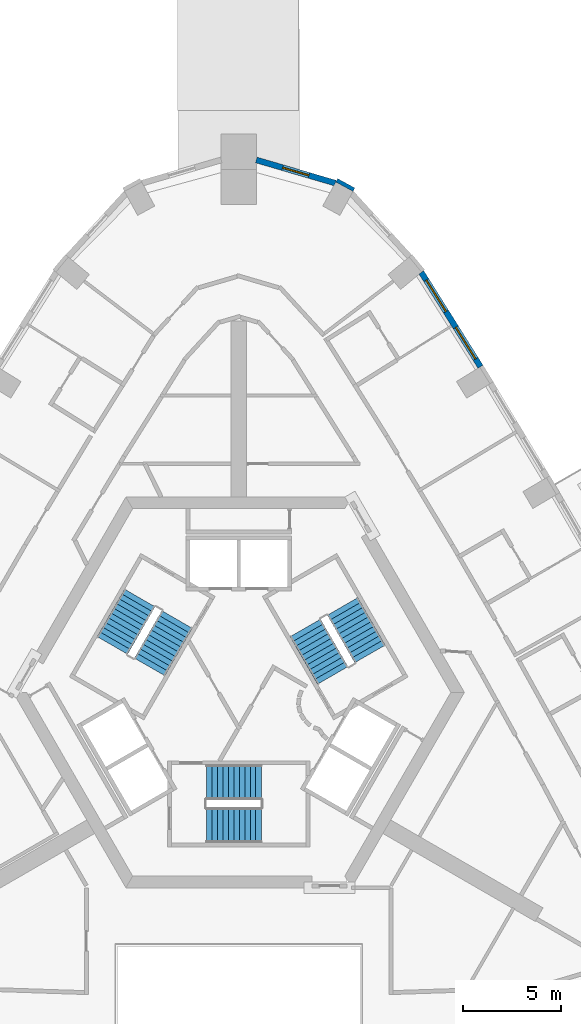
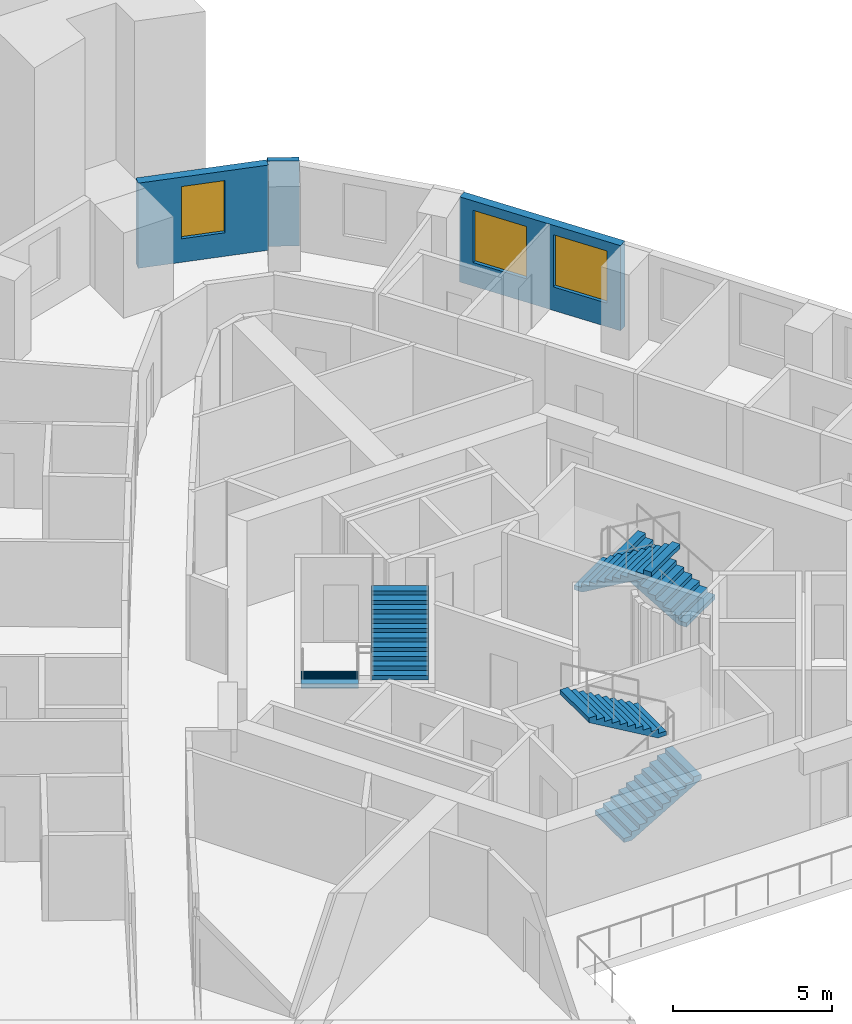
# One storey, part 10 of 13: 6 stair flights, 3 walls, 3 windows, 3 openings, 3 elements without a shape of their own.
"""IFC4 building model written with IfcOpenShell, lengths in metres."""

import ifcopenshell
import ifcopenshell.guid

model = None  # the IFC model being written
_history = None  # IfcOwnerHistory: only IFC2X3 demands one
_inside = {}  # id of a spatial element -> (the spatial element, [elements in it])
_under = {}  # id of a project, library or spatial element -> (it, [spatial elements below it])
_declared = {}  # id of a project -> (the project, [libraries it declares])
_typed = {}  # id of a type object -> (the type object, [elements of that type])
_made_of = {}  # id of a material, layer set ... -> (it, [elements and type objects made of it])


def new_model(schema):
    """Start an empty IFC model of exactly this schema.

    Asked for "IFC4X3", IfcOpenShell would pick the latest addendum, in which some entities
    have other attributes; the version numbers below select the first issue.
    IFC2X3 requires an IfcOwnerHistory on every rooted entity: one is made here for all.
    """
    global model, _history
    if schema == "IFC4X3":
        model = ifcopenshell.file(schema_version=(4, 3, 0, 0))
    else:
        model = ifcopenshell.file(schema=schema)
    _inside.clear()
    _under.clear()
    _declared.clear()
    _typed.clear()
    _made_of.clear()
    _history = None
    if model.schema == "IFC2X3":
        org = make("IfcOrganization", Name="unknown")
        user = make(
            "IfcPersonAndOrganization",
            ThePerson=make("IfcPerson", FamilyName="unknown"),
            TheOrganization=org,
        )
        app = make(
            "IfcApplication",
            ApplicationDeveloper=org,
            Version="unknown",
            ApplicationFullName="unknown",
            ApplicationIdentifier="unknown",
        )
        _history = make(
            "IfcOwnerHistory",
            OwningUser=user,
            OwningApplication=app,
            ChangeAction="ADDED",
            CreationDate=0,
        )
    return model


def make(cls, **values):
    """One entity of the class cls with the attributes given. An attribute that is None is left unset."""
    return model.create_entity(
        cls, **{name: value for name, value in values.items() if value is not None}
    )


def rooted(cls, **values):
    """An entity with a GlobalId (a new one), such as an element, a storey or a relation."""
    return make(cls, GlobalId=ifcopenshell.guid.new(), OwnerHistory=_history, **values)


def si_unit(unit_type, name, prefix=None):
    """IfcSIUnit, for example si_unit("LENGTHUNIT", "METRE", prefix="MILLI")."""
    return make("IfcSIUnit", UnitType=unit_type, Prefix=prefix, Name=name)


def assignment(units):
    """IfcUnitAssignment: the units of a project."""
    return None if units is None else make("IfcUnitAssignment", Units=units)


def point(xyz):
    """IfcCartesianPoint."""
    return None if xyz is None else make("IfcCartesianPoint", Coordinates=xyz)


def direction(xyz):
    """IfcDirection."""
    return None if xyz is None else make("IfcDirection", DirectionRatios=xyz)


def frame(location, z_axis=None, x_axis=None):
    """IfcAxis2Placement3D, a coordinate frame: its origin and axes. An axis left out is left unset."""
    return make(
        "IfcAxis2Placement3D",
        Location=point(location),
        Axis=direction(z_axis),
        RefDirection=direction(x_axis),
    )


def frame_2d(location, x_axis=None):
    """IfcAxis2Placement2D, a coordinate frame in the plane: its origin and x axis."""
    return make(
        "IfcAxis2Placement2D", Location=point(location), RefDirection=direction(x_axis)
    )


def origin():
    """The frame at (0, 0, 0) with its axes left unset."""
    return frame((0.0, 0.0, 0.0))


def place(relative_to, where):
    """IfcLocalPlacement: puts the frame where relative to a parent placement (None: the world)."""
    return make(
        "IfcLocalPlacement", PlacementRelTo=relative_to, RelativePlacement=where
    )


def context(
    kind, dimensions, precision=None, world=None, true_north=None, identifier=None
):
    """IfcGeometricRepresentationContext, for example the 3D "Model" context."""
    return make(
        "IfcGeometricRepresentationContext",
        ContextIdentifier=identifier,
        ContextType=kind,
        CoordinateSpaceDimension=dimensions,
        Precision=precision,
        WorldCoordinateSystem=world,
        TrueNorth=true_north,
    )


def subcontext(parent, identifier, kind, view, scale=None):
    """IfcGeometricRepresentationSubContext, for example "Body" below "Model"."""
    return make(
        "IfcGeometricRepresentationSubContext",
        ContextIdentifier=identifier,
        ContextType=kind,
        ParentContext=parent,
        TargetScale=scale,
        TargetView=view,
    )


def project(units=None, contexts=None):
    """IfcProject with its units and contexts."""
    return rooted(
        "IfcProject",
        Name="project",
        RepresentationContexts=contexts,
        UnitsInContext=assignment(units),
    )


def spatial(cls, under=None, at=None, **own):
    """A site, building, storey or space (cls), placed at a placement, below another one or the project."""
    s = rooted(cls, ObjectPlacement=at, **own)
    if under is not None:
        _under.setdefault(under.id(), (under, []))[1].append(s)
    return s


def polyline(points):
    """IfcPolyline through the points."""
    return make("IfcPolyline", Points=[point(p) for p in points])


def profile(cls, at=None, kind="AREA", **sizes):
    """A parametric profile (cls). Its sizes go by their IFC names, for example OverallWidth=200.0."""
    return make(cls, ProfileType=kind, Position=at, **sizes)


def rectangle(**sizes):
    """IfcRectangleProfileDef."""
    return profile("IfcRectangleProfileDef", **sizes)


def outline(outer, holes=None, kind="AREA"):
    """IfcArbitraryClosedProfileDef: a profile drawn as a closed curve; with holes, ...WithVoids."""
    if holes is None:
        return make("IfcArbitraryClosedProfileDef", ProfileType=kind, OuterCurve=outer)
    return make(
        "IfcArbitraryProfileDefWithVoids",
        ProfileType=kind,
        OuterCurve=outer,
        InnerCurves=holes,
    )


def extrude(swept, where, along, depth):
    """IfcExtrudedAreaSolid: the profile swept, set in the frame where, extruded along a direction by depth."""
    return make(
        "IfcExtrudedAreaSolid",
        SweptArea=swept,
        Position=where,
        ExtrudedDirection=direction(along),
        Depth=depth,
    )


def shape(context_of_items, identifier, shape_type, items):
    """IfcShapeRepresentation: the items that make up one representation, for example the "Body"."""
    return make(
        "IfcShapeRepresentation",
        ContextOfItems=context_of_items,
        RepresentationIdentifier=identifier,
        RepresentationType=shape_type,
        Items=items,
    )


def material(Name=None, Category=None):
    """IfcMaterial."""
    return make("IfcMaterial", Name=Name, Category=Category)


def layer(
    of_material, thickness, ventilated=None, Name=None, Category=None, Priority=None
):
    """IfcMaterialLayer: one layer of a wall or slab, of a material (None: an air gap)."""
    return make(
        "IfcMaterialLayer",
        Material=of_material,
        LayerThickness=thickness,
        IsVentilated=ventilated,
        Name=Name,
        Category=Category,
        Priority=Priority,
    )


def layer_set(layers, Name=None):
    """IfcMaterialLayerSet."""
    return make("IfcMaterialLayerSet", MaterialLayers=layers, LayerSetName=Name)


def made_of(thing, what):
    """Note that an element or type object is made of a material, layer set ...; save() writes the relation."""
    if what is not None:
        _made_of.setdefault(what.id(), (what, []))[1].append(thing)
    return thing


def type_object(cls, material=None, **own):
    """A type object (cls), such as IfcWallType, which elements share."""
    return made_of(rooted(cls, **own), material)


def element(
    cls,
    number,
    at=None,
    inside=None,
    cuts=None,
    type_object=None,
    material=None,
    context=None,
    identifier="Body",
    shape_type=None,
    held_by="IfcProductDefinitionShape",
    body=None,
    shapes=None,
    **own,
):
    """One element of the class cls, such as IfcWall. Its Tag is "e" and its number.

    at: its placement. inside: the storey or other place that contains it. cuts: it is an
    opening in that element (IfcRelVoidsElement). A single representation is given by context,
    identifier, shape_type and body (its items); several are given by shapes. held_by: the class
    of the entity that holds the representations. save() writes the other relations.
    """
    e = rooted(cls, Tag="e%d" % number, ObjectPlacement=at, **own)
    if body is not None:
        shapes = [shape(context, identifier, shape_type, body)]
    if shapes is not None:
        e.Representation = make(held_by, Representations=shapes)
    if inside is not None:
        _inside.setdefault(inside.id(), (inside, []))[1].append(e)
    if cuts is not None:
        rooted(
            "IfcRelVoidsElement", RelatingBuildingElement=cuts, RelatedOpeningElement=e
        )
    if type_object is not None:
        _typed.setdefault(type_object.id(), (type_object, []))[1].append(e)
    return made_of(e, material)


def fill(opening, filler):
    """IfcRelFillsElement: the door or window that sits in an opening."""
    return rooted(
        "IfcRelFillsElement",
        RelatingOpeningElement=opening,
        RelatedBuildingElement=filler,
    )


def aggregate(whole, parts):
    """IfcRelAggregates: a whole, such as a stair, and the parts it consists of."""
    return rooted("IfcRelAggregates", RelatingObject=whole, RelatedObjects=parts)


def save(model, path):
    """Write the relations noted so far, then the file.

    IfcRelAggregates (storeys below a building ...), IfcRelContainedInSpatialStructure (elements
    in a storey), IfcRelDefinesByType, IfcRelAssociatesMaterial and IfcRelDeclares: one each for
    every whole, place, type object, material and project.
    """
    for whole, parts in _under.values():
        aggregate(whole, parts)
    for where, things in _inside.values():
        rooted(
            "IfcRelContainedInSpatialStructure",
            RelatedElements=things,
            RelatingStructure=where,
        )
    for kind, things in _typed.values():
        rooted("IfcRelDefinesByType", RelatedObjects=things, RelatingType=kind)
    for what, things in _made_of.values():
        rooted("IfcRelAssociatesMaterial", RelatedObjects=things, RelatingMaterial=what)
    for by, libraries in _declared.values():
        rooted("IfcRelDeclares", RelatingContext=by, RelatedDefinitions=libraries)
    model.write(path)


model = new_model("IFC4")

# Units and contexts
model_context = context("Model", 3, precision=1e-05, world=origin(), true_north=direction((0.0, 1.0)))
body_context = subcontext(model_context, "Body", "Model", "MODEL_VIEW")
ifc_project = project(units=[si_unit("LENGTHUNIT", "METRE"), si_unit("AREAUNIT", "SQUARE_METRE"), si_unit("VOLUMEUNIT", "CUBIC_METRE"), si_unit("PLANEANGLEUNIT", "RADIAN"), si_unit("MASSUNIT", "GRAM", prefix="KILO")], contexts=[model_context])

# Site, building, storey
site_placement = place(None, origin())
site = spatial("IfcSite", under=ifc_project, at=site_placement, CompositionType="ELEMENT")
building_placement = place(site_placement, origin())
building = spatial("IfcBuilding", under=site, at=building_placement, Name="Entoto Arch Interchange Tower", CompositionType="ELEMENT")
storey_placement = place(building_placement, frame((0.0, 0.0, 263.0)))
storey = spatial("IfcBuildingStorey", under=building, at=storey_placement, Name="L60", CompositionType="ELEMENT", Elevation=263.0)

# Wall, openings, windows
ifc_material_1 = material(Name="Welded tuff (ignimbrite) cladding, warm buff", Category="masonry")
ifc_layer_1 = layer(ifc_material_1, 0.300048828125)
ifc_layer_set_1 = layer_set([ifc_layer_1], Name="Welded tuff (ignimbrite) cladding, warm buff")
wall_type_1 = type_object("IfcWallType", Name="STONE INFILL WALL 300", PredefinedType="STANDARD", material=ifc_layer_set_1)
wall_1_placement = place(storey_placement, frame((12.3720703125, 19.166015625, 0.0), z_axis=(0.0, 0.0, 1.0), x_axis=(-0.531137483242, 0.847285650708, 0.0)))
wall_1 = element("IfcWall", 1, at=wall_1_placement, inside=storey, type_object=wall_type_1, Name="Facade wall NE-05 L60", PredefinedType="STANDARD", context=body_context, shape_type="SweptSolid", body=[
    extrude(rectangle(XDim=5.702880859375, YDim=0.300048828125, at=frame_2d((2.8515625, 0.0))), origin(), (0.0, 0.0, 1.0), 3.260009765625),
])
opening_1_placement = place(wall_1_placement, frame((0.47607421875, 0.0, 0.89990234375)))
opening_1 = element("IfcOpeningElement", 2, at=opening_1_placement, cuts=wall_1, Name="Opening WH-C", PredefinedType="OPENING", context=body_context, shape_type="SweptSolid", body=[
    extrude(rectangle(XDim=1.89990234375, YDim=2.0, at=frame_2d((0.949951171875, 1.0))), frame((0.0, 0.16015625, 0.0), z_axis=(0.0, -1.0, 0.0), x_axis=(1.0, 0.0, 0.0)), (0.0, 0.0, 1.0), 0.320068359375),
])
opening_2_placement = place(wall_1_placement, frame((3.326904296875, 0.0, 0.89990234375)))
opening_2 = element("IfcOpeningElement", 3, at=opening_2_placement, cuts=wall_1, Name="Opening WH-C", PredefinedType="OPENING", context=body_context, shape_type="SweptSolid", body=[
    extrude(rectangle(XDim=1.89990234375, YDim=2.0, at=frame_2d((0.949951171875, 1.0))), frame((0.0, 0.16015625, 0.0), z_axis=(0.0, -1.0, 0.0), x_axis=(1.0, 0.0, 0.0)), (0.0, 0.0, 1.0), 0.320068359375),
])
ifc_material_2 = material(Name="Clear glass, low-e double glazed", Category="glass")
window_type_1 = type_object("IfcWindowType", Name="WINDOW WH-C 1900x2000", PartitioningType="DOUBLE_PANEL_VERTICAL", PredefinedType="WINDOW", material=ifc_material_2)
window_1_placement = place(opening_1_placement, origin())
window_1 = element("IfcWindow", 4, at=window_1_placement, inside=storey, type_object=window_type_1, Name="Window WH-C NE-05 L60", OverallHeight=2.0, OverallWidth=1.89990234375, PartitioningType="SINGLE_PANEL", PredefinedType="WINDOW", context=body_context, shape_type="SweptSolid", body=[
    extrude(rectangle(XDim=1.89990234375, YDim=2.0, at=frame_2d((0.949951171875, 1.0))), frame((0.0, 0.030029296875, 0.0), z_axis=(0.0, -1.0, 0.0), x_axis=(1.0, 0.0, 0.0)), (0.0, 0.0, 1.0), 0.06005859375),
])
fill(opening_1, window_1)
window_2_placement = place(opening_2_placement, origin())
window_2 = element("IfcWindow", 5, at=window_2_placement, inside=storey, type_object=window_type_1, Name="Window WH-C NE-05 L60", OverallHeight=2.0, OverallWidth=1.89990234375, PartitioningType="SINGLE_PANEL", PredefinedType="WINDOW", context=body_context, shape_type="SweptSolid", body=[
    extrude(rectangle(XDim=1.89990234375, YDim=2.0, at=frame_2d((0.949951171875, 1.0))), frame((0.0, 0.030029296875, 0.0), z_axis=(0.0, -1.0, 0.0), x_axis=(1.0, 0.0, 0.0)), (0.0, 0.0, 1.0), 0.06005859375),
])
fill(opening_2, window_2)

# Wall, opening, window
wall_2_placement = place(storey_placement, frame((4.93896484375, 28.56298828125, 0.0), z_axis=(0.0, 0.0, 1.0), x_axis=(-0.959632861734, 0.281255703373, 0.0)))
wall_2 = element("IfcWall", 6, at=wall_2_placement, inside=storey, type_object=wall_type_1, Name="Facade wall N-02 L60", PredefinedType="STANDARD", context=body_context, shape_type="SweptSolid", body=[
    extrude(rectangle(XDim=4.2099609375, YDim=0.300048828125, at=frame_2d((2.10498046875, 0.0))), origin(), (0.0, 0.0, 1.0), 3.260009765625),
])
opening_3_placement = place(wall_2_placement, frame((1.405029296875, 0.0, 0.89990234375)))
opening_3 = element("IfcOpeningElement", 7, at=opening_3_placement, cuts=wall_2, Name="Opening WH-B", PredefinedType="OPENING", context=body_context, shape_type="SweptSolid", body=[
    extrude(rectangle(XDim=1.39990234375, YDim=2.0, at=frame_2d((0.699951171875, 1.0))), frame((0.0, 0.16015625, 0.0), z_axis=(0.0, -1.0, 0.0), x_axis=(1.0, 0.0, 0.0)), (0.0, 0.0, 1.0), 0.320068359375),
])
window_type_2 = type_object("IfcWindowType", Name="WINDOW WH-B 1400x2000", PartitioningType="DOUBLE_PANEL_VERTICAL", PredefinedType="WINDOW", material=ifc_material_2)
window_3_placement = place(opening_3_placement, origin())
window_3 = element("IfcWindow", 8, at=window_3_placement, inside=storey, type_object=window_type_2, Name="Window WH-B N-02 L60", OverallHeight=2.0, OverallWidth=1.39990234375, PartitioningType="SINGLE_PANEL", PredefinedType="WINDOW", context=body_context, shape_type="SweptSolid", body=[
    extrude(rectangle(XDim=1.39990234375, YDim=2.0, at=frame_2d((0.699951171875, 1.0))), frame((0.0, 0.030029296875, 0.0), z_axis=(0.0, -1.0, 0.0), x_axis=(1.0, 0.0, 0.0)), (0.0, 0.0, 1.0), 0.06005859375),
])
fill(opening_3, window_3)

# Wall
ifc_layer_2 = layer(ifc_material_1, 0.199951171875)
ifc_layer_set_2 = layer_set([ifc_layer_2], Name="Welded tuff (ignimbrite) cladding, warm buff")
wall_type_2 = type_object("IfcWallType", Name="STONE PIER CLADDING 200", PredefinedType="STANDARD", material=ifc_layer_set_2)
wall_3_placement = place(storey_placement, frame((5.89306640625, 28.22705078125, 0.0), z_axis=(0.0, 0.0, 1.0), x_axis=(-0.878305841364, 0.478099204168, 0.0)))
element("IfcWall", 9, at=wall_3_placement, inside=storey, type_object=wall_type_2, Name="Stone pier N1 L60", PredefinedType="STANDARD", context=body_context, shape_type="SweptSolid", body=[
    extrude(rectangle(XDim=0.999755859375, YDim=0.199951171875, at=frame_2d((0.5, 0.0))), origin(), (0.0, 0.0, 1.0), 3.260009765625),
])

# Stair, stair flights
ifc_material_3 = material(Name="Concrete C40/50", Category="concrete")
stair_type = type_object("IfcStairType", Name="EXIT STAIR RC 1800", PredefinedType="HALF_TURN_STAIR", material=ifc_material_3)
stair_1_placement = place(storey_placement, origin())
stair_1 = element("IfcStair", 10, at=stair_1_placement, inside=storey, type_object=stair_type, Name="L60 Exit stair S", PredefinedType="HALF_TURN_STAIR")
stair_flight_type = type_object("IfcStairFlightType", Name="EXIT STAIR FLIGHT RC 1800", PredefinedType="STRAIGHT", material=ifc_material_3)
stair_flight_1_placement = place(storey_placement, frame((-1.64990234375, -4.300048828125, 0.0), z_axis=(0.0, 0.0, 1.0), x_axis=(1.0, 0.0, 0.0)))
stair_flight_1 = element("IfcStairFlight", 11, at=stair_flight_1_placement, type_object=stair_flight_type, Name="ST-S flight 1", NumberOfRisers=11, NumberOfTreads=10, PredefinedType="STRAIGHT", RiserHeight=0.163636364, TreadLength=0.28, context=body_context, shape_type="SweptSolid", body=[
    extrude(outline(polyline([(-0.0029296875, 0.0), (-0.0029296875, 0.16357421875), (0.280029296875, 0.16357421875), (0.280029296875, 0.327392578125), (0.56005859375, 0.327392578125), (0.56005859375, 0.490966796875), (0.840087890625, 0.490966796875), (0.840087890625, 0.654541015625), (1.1201171875, 0.654541015625), (1.1201171875, 0.818115234375), (1.39990234375, 0.818115234375), (1.39990234375, 0.98193359375), (1.679931640625, 0.98193359375), (1.679931640625, 1.1455078125), (1.9599609375, 1.1455078125), (1.9599609375, 1.30908203125), (2.239990234375, 1.30908203125), (2.239990234375, 1.47265625), (2.52001953125, 1.47265625), (2.52001953125, 1.636474609375), (2.800048828125, 1.636474609375), (2.802978515625, 1.636474609375), (2.802978515625, 1.464599609375), (0.297119140625, 0.0), (-0.0029296875, 0.0)])), frame((0.0, 0.89990234375, 0.0), z_axis=(0.0, -1.0, 0.0), x_axis=(1.0, 0.0, 0.0)), (0.0, 0.0, 1.0), 1.800048828125),
])
stair_flight_2_placement = place(storey_placement, frame((1.14990234375, -2.10009765625, 1.800048828125), z_axis=(0.0, 0.0, 1.0), x_axis=(-1.0, 0.0, 0.0)))
stair_flight_2 = element("IfcStairFlight", 12, at=stair_flight_2_placement, type_object=stair_flight_type, Name="ST-S flight 2", NumberOfRisers=11, NumberOfTreads=10, PredefinedType="STRAIGHT", RiserHeight=0.163636364, TreadLength=0.28, context=body_context, shape_type="SweptSolid", body=[
    extrude(outline(polyline([(-0.0029296875, 0.0), (-0.0029296875, 0.16357421875), (0.280029296875, 0.16357421875), (0.280029296875, 0.327392578125), (0.56005859375, 0.327392578125), (0.56005859375, 0.490966796875), (0.840087890625, 0.490966796875), (0.840087890625, 0.654541015625), (1.1201171875, 0.654541015625), (1.1201171875, 0.818115234375), (1.39990234375, 0.818115234375), (1.39990234375, 0.98193359375), (1.679931640625, 0.98193359375), (1.679931640625, 1.1455078125), (1.9599609375, 1.1455078125), (1.9599609375, 1.30908203125), (2.239990234375, 1.30908203125), (2.239990234375, 1.47265625), (2.52001953125, 1.47265625), (2.52001953125, 1.636474609375), (2.800048828125, 1.636474609375), (2.802978515625, 1.636474609375), (2.802978515625, 1.464599609375), (0.297119140625, 0.0), (-0.0029296875, 0.0)])), frame((0.0, 0.89990234375, 0.0), z_axis=(0.0, -1.0, 0.0), x_axis=(1.0, 0.0, 0.0)), (0.0, 0.0, 1.0), 1.800048828125),
])
aggregate(stair_1, [stair_flight_1, stair_flight_2])

stair_2_placement = place(storey_placement, origin())
stair_2 = element("IfcStair", 13, at=stair_2_placement, inside=storey, type_object=stair_type, Name="L60 Exit stair NE", PredefinedType="HALF_TURN_STAIR")
stair_flight_3_placement = place(storey_placement, frame((6.7138671875, 4.470947265625, 0.0), z_axis=(0.0, 0.0, 1.0), x_axis=(-0.5, 0.866025403784, 0.0)))
stair_flight_3 = element("IfcStairFlight", 14, at=stair_flight_3_placement, type_object=stair_flight_type, Name="ST-NE flight 1", NumberOfRisers=11, NumberOfTreads=10, PredefinedType="STRAIGHT", RiserHeight=0.163636364, TreadLength=0.28, context=body_context, shape_type="SweptSolid", body=[
    extrude(outline(polyline([(-0.0029296875, 0.0), (-0.0029296875, 0.16357421875), (0.280029296875, 0.16357421875), (0.280029296875, 0.327392578125), (0.56005859375, 0.327392578125), (0.56005859375, 0.490966796875), (0.840087890625, 0.490966796875), (0.840087890625, 0.654541015625), (1.1201171875, 0.654541015625), (1.1201171875, 0.818115234375), (1.39990234375, 0.818115234375), (1.39990234375, 0.98193359375), (1.679931640625, 0.98193359375), (1.679931640625, 1.1455078125), (1.9599609375, 1.1455078125), (1.9599609375, 1.30908203125), (2.239990234375, 1.30908203125), (2.239990234375, 1.47265625), (2.52001953125, 1.47265625), (2.52001953125, 1.636474609375), (2.800048828125, 1.636474609375), (2.802978515625, 1.636474609375), (2.802978515625, 1.464599609375), (0.297119140625, 0.0), (-0.0029296875, 0.0)])), frame((0.0, 0.89990234375, 0.0), z_axis=(0.0, -1.0, 0.0), x_axis=(1.0, 0.0, 0.0)), (0.0, 0.0, 1.0), 1.800048828125),
])
stair_flight_4_placement = place(storey_placement, frame((3.40869140625, 5.7958984375, 1.800048828125), z_axis=(0.0, 0.0, 1.0), x_axis=(0.5, -0.866025403784, 0.0)))
stair_flight_4 = element("IfcStairFlight", 15, at=stair_flight_4_placement, type_object=stair_flight_type, Name="ST-NE flight 2", NumberOfRisers=11, NumberOfTreads=10, PredefinedType="STRAIGHT", RiserHeight=0.163636364, TreadLength=0.28, context=body_context, shape_type="SweptSolid", body=[
    extrude(outline(polyline([(-0.0029296875, 0.0), (-0.0029296875, 0.16357421875), (0.280029296875, 0.16357421875), (0.280029296875, 0.327392578125), (0.56005859375, 0.327392578125), (0.56005859375, 0.490966796875), (0.840087890625, 0.490966796875), (0.840087890625, 0.654541015625), (1.1201171875, 0.654541015625), (1.1201171875, 0.818115234375), (1.39990234375, 0.818115234375), (1.39990234375, 0.98193359375), (1.679931640625, 0.98193359375), (1.679931640625, 1.1455078125), (1.9599609375, 1.1455078125), (1.9599609375, 1.30908203125), (2.239990234375, 1.30908203125), (2.239990234375, 1.47265625), (2.52001953125, 1.47265625), (2.52001953125, 1.636474609375), (2.800048828125, 1.636474609375), (2.802978515625, 1.636474609375), (2.802978515625, 1.464599609375), (0.297119140625, 0.0), (-0.0029296875, 0.0)])), frame((0.0, 0.89990234375, 0.0), z_axis=(0.0, -1.0, 0.0), x_axis=(1.0, 0.0, 0.0)), (0.0, 0.0, 1.0), 1.800048828125),
])
aggregate(stair_2, [stair_flight_3, stair_flight_4])

stair_3_placement = place(storey_placement, origin())
stair_3 = element("IfcStair", 16, at=stair_3_placement, inside=storey, type_object=stair_type, Name="L60 Exit stair NW", PredefinedType="HALF_TURN_STAIR")
stair_flight_5_placement = place(storey_placement, frame((-5.06396484375, 7.328857421875, 0.0), z_axis=(0.0, 0.0, 1.0), x_axis=(-0.5, -0.866025403784, 0.0)))
stair_flight_5 = element("IfcStairFlight", 17, at=stair_flight_5_placement, type_object=stair_flight_type, Name="ST-NW flight 1", NumberOfRisers=11, NumberOfTreads=10, PredefinedType="STRAIGHT", RiserHeight=0.163636364, TreadLength=0.28, context=body_context, shape_type="SweptSolid", body=[
    extrude(outline(polyline([(-0.0029296875, 0.0), (-0.0029296875, 0.16357421875), (0.280029296875, 0.16357421875), (0.280029296875, 0.327392578125), (0.56005859375, 0.327392578125), (0.56005859375, 0.490966796875), (0.840087890625, 0.490966796875), (0.840087890625, 0.654541015625), (1.1201171875, 0.654541015625), (1.1201171875, 0.818115234375), (1.39990234375, 0.818115234375), (1.39990234375, 0.98193359375), (1.679931640625, 0.98193359375), (1.679931640625, 1.1455078125), (1.9599609375, 1.1455078125), (1.9599609375, 1.30908203125), (2.239990234375, 1.30908203125), (2.239990234375, 1.47265625), (2.52001953125, 1.47265625), (2.52001953125, 1.636474609375), (2.800048828125, 1.636474609375), (2.802978515625, 1.636474609375), (2.802978515625, 1.464599609375), (0.297119140625, 0.0), (-0.0029296875, 0.0)])), frame((0.0, 0.89990234375, 0.0), z_axis=(0.0, -1.0, 0.0), x_axis=(1.0, 0.0, 0.0)), (0.0, 0.0, 1.0), 1.800048828125),
])
stair_flight_6_placement = place(storey_placement, frame((-4.558837890625, 3.803955078125, 1.800048828125), z_axis=(0.0, 0.0, 1.0), x_axis=(0.5, 0.866025403784, 0.0)))
stair_flight_6 = element("IfcStairFlight", 18, at=stair_flight_6_placement, type_object=stair_flight_type, Name="ST-NW flight 2", NumberOfRisers=11, NumberOfTreads=10, PredefinedType="STRAIGHT", RiserHeight=0.163636364, TreadLength=0.28, context=body_context, shape_type="SweptSolid", body=[
    extrude(outline(polyline([(-0.0029296875, 0.0), (-0.0029296875, 0.16357421875), (0.280029296875, 0.16357421875), (0.280029296875, 0.327392578125), (0.56005859375, 0.327392578125), (0.56005859375, 0.490966796875), (0.840087890625, 0.490966796875), (0.840087890625, 0.654541015625), (1.1201171875, 0.654541015625), (1.1201171875, 0.818115234375), (1.39990234375, 0.818115234375), (1.39990234375, 0.98193359375), (1.679931640625, 0.98193359375), (1.679931640625, 1.1455078125), (1.9599609375, 1.1455078125), (1.9599609375, 1.30908203125), (2.239990234375, 1.30908203125), (2.239990234375, 1.47265625), (2.52001953125, 1.47265625), (2.52001953125, 1.636474609375), (2.800048828125, 1.636474609375), (2.802978515625, 1.636474609375), (2.802978515625, 1.464599609375), (0.297119140625, 0.0), (-0.0029296875, 0.0)])), frame((0.0, 0.89990234375, 0.0), z_axis=(0.0, -1.0, 0.0), x_axis=(1.0, 0.0, 0.0)), (0.0, 0.0, 1.0), 1.800048828125),
])
aggregate(stair_3, [stair_flight_5, stair_flight_6])

save(model, "model.ifc")
